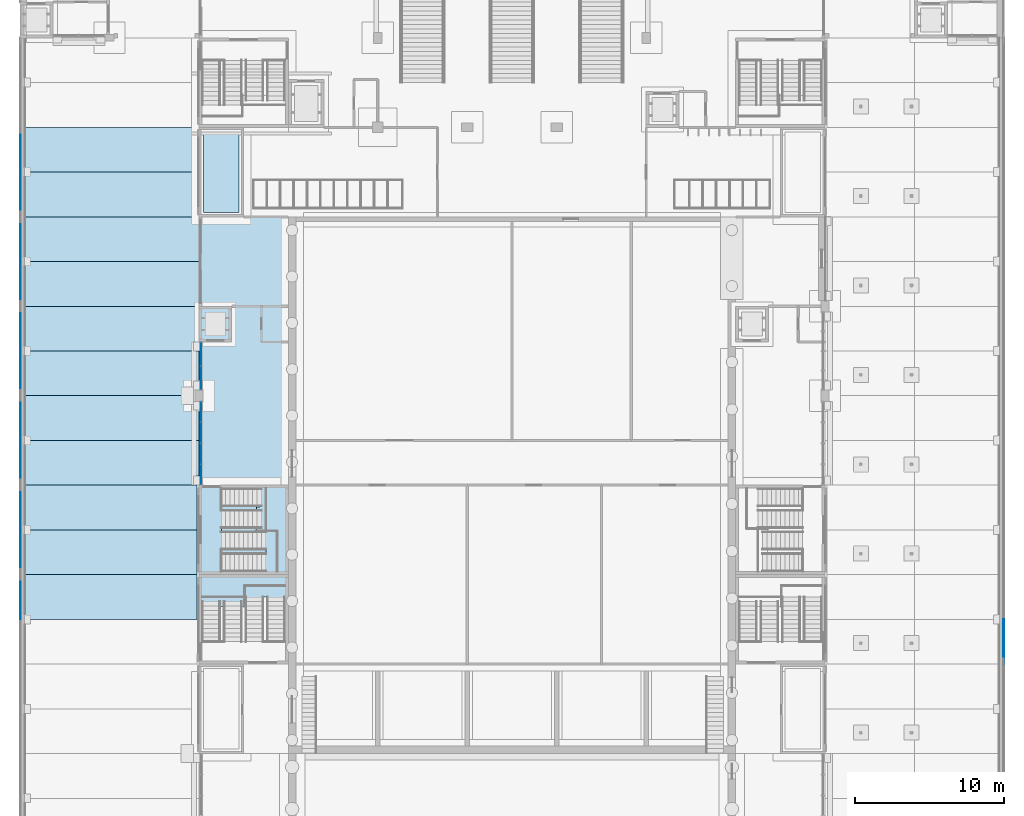
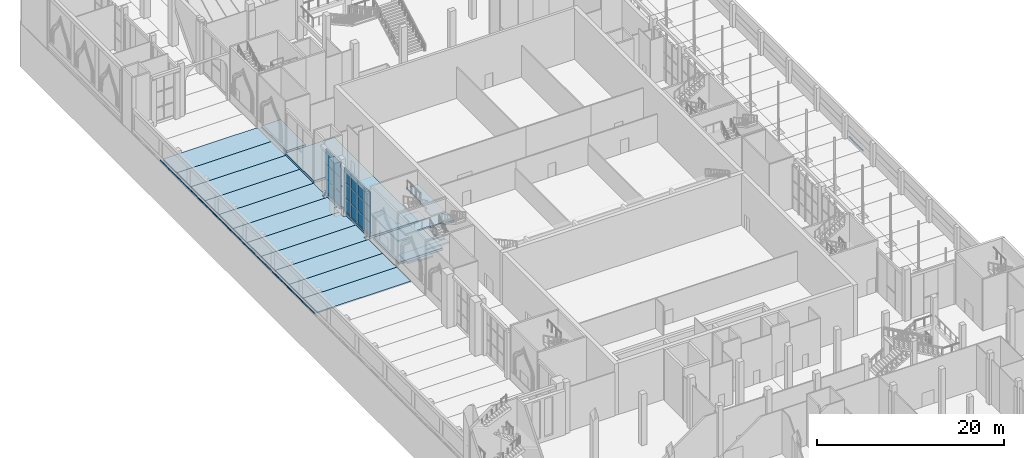
# One storey, part 33 of 95: 32 slabs, 18 plates, 4 elements without a shape of their own.
"""IFC4 building model written with IfcOpenShell, lengths in metres."""

from ifc_helpers import new_model, si_unit, direction, frame, origin, origin_2d, place, context, subcontext, project, spatial, polyline, rectangle, outline, extrude, material, layer, layer_set, type_object, element, aggregate, save


model = new_model("IFC4")

# Units and contexts
model_context = context("Model", 3, precision=1e-05, world=origin(), true_north=direction((0.0, 1.0)))
body_context = subcontext(model_context, "Body", "Model", "MODEL_VIEW")
ifc_project = project(units=[si_unit("LENGTHUNIT", "METRE"), si_unit("AREAUNIT", "SQUARE_METRE"), si_unit("VOLUMEUNIT", "CUBIC_METRE"), si_unit("PLANEANGLEUNIT", "RADIAN"), si_unit("MASSUNIT", "GRAM", prefix="KILO")], contexts=[model_context])

# Site, building, storey
site_placement = place(None, origin())
site = spatial("IfcSite", under=ifc_project, at=site_placement, CompositionType="ELEMENT")
building_placement = place(site_placement, origin())
building = spatial("IfcBuilding", under=site, at=building_placement, Name="Saffron Lane Theatres", CompositionType="ELEMENT")
storey_placement = place(building_placement, origin())
storey = spatial("IfcBuildingStorey", under=building, at=storey_placement, Name="L00", CompositionType="ELEMENT", Elevation=0.0)

# Curtain wall, plates
ifc_material_1 = material(Name="Aluminium", Category="aluminium")
curtain_wall_type_1 = type_object("IfcCurtainWallType", Name="EX-CURTAIN WALL 5620x6050x200", PredefinedType="NOTDEFINED", material=ifc_material_1)
curtain_wall_1_placement = place(storey_placement, origin())
curtain_wall_1 = element("IfcCurtainWall", 1, at=curtain_wall_1_placement, inside=storey, type_object=curtain_wall_type_1, Name="Curtain wall L00 03", PredefinedType="NOTDEFINED")
ifc_material_2 = material(Name="Glass", Category="glass")
ifc_layer_1 = layer(ifc_material_2, 0.031982421875)
ifc_layer_set_1 = layer_set([ifc_layer_1], Name="Glass")
plate_type = type_object("IfcPlateType", Name="EX-CW PANEL GLAZING 32", PredefinedType="CURTAIN_PANEL", material=ifc_layer_set_1)
plate_1_placement = place(storey_placement, frame((12.14990234375, 72.718017578125, 0.06005859375), z_axis=(0.0, 0.0, 1.0), x_axis=(0.0, 1.0, 0.0)))
plate_1 = element("IfcPlate", 2, at=plate_1_placement, type_object=plate_type, Name="CW-00-03 panel 1.1", PredefinedType="CURTAIN_PANEL", context=body_context, shape_type="SweptSolid", body=[
    extrude(rectangle(XDim=1.316162109375, YDim=0.031982421875, at=origin_2d()), origin(), (0.0, 0.0, 1.0), 1.926513671875),
])
plate_2_placement = place(storey_placement, frame((12.14990234375, 72.718017578125, 2.04638671875), z_axis=(0.0, 0.0, 1.0), x_axis=(0.0, 1.0, 0.0)))
plate_2 = element("IfcPlate", 3, at=plate_2_placement, type_object=plate_type, Name="CW-00-03 panel 1.2", PredefinedType="CURTAIN_PANEL", context=body_context, shape_type="SweptSolid", body=[
    extrude(rectangle(XDim=1.316162109375, YDim=0.031982421875, at=origin_2d()), origin(), (0.0, 0.0, 1.0), 1.956787109375),
])
plate_3_placement = place(storey_placement, frame((12.14990234375, 72.718017578125, 4.0634765625), z_axis=(0.0, 0.0, 1.0), x_axis=(0.0, 1.0, 0.0)))
plate_3 = element("IfcPlate", 4, at=plate_3_placement, type_object=plate_type, Name="CW-00-03 panel 1.3", PredefinedType="CURTAIN_PANEL", context=body_context, shape_type="SweptSolid", body=[
    extrude(rectangle(XDim=1.316162109375, YDim=0.031982421875, at=origin_2d()), origin(), (0.0, 0.0, 1.0), 1.926513671875),
])
plate_4_placement = place(storey_placement, frame((12.14990234375, 74.109375, 0.06005859375), z_axis=(0.0, 0.0, 1.0), x_axis=(0.0, 1.0, 0.0)))
plate_4 = element("IfcPlate", 5, at=plate_4_placement, type_object=plate_type, Name="CW-00-03 panel 2.1", PredefinedType="CURTAIN_PANEL", context=body_context, shape_type="SweptSolid", body=[
    extrude(rectangle(XDim=1.34619140625, YDim=0.031982421875, at=origin_2d()), origin(), (0.0, 0.0, 1.0), 1.926513671875),
])
plate_5_placement = place(storey_placement, frame((12.14990234375, 74.109375, 2.04638671875), z_axis=(0.0, 0.0, 1.0), x_axis=(0.0, 1.0, 0.0)))
plate_5 = element("IfcPlate", 6, at=plate_5_placement, type_object=plate_type, Name="CW-00-03 panel 2.2", PredefinedType="CURTAIN_PANEL", context=body_context, shape_type="SweptSolid", body=[
    extrude(rectangle(XDim=1.34619140625, YDim=0.031982421875, at=origin_2d()), origin(), (0.0, 0.0, 1.0), 1.956787109375),
])
plate_6_placement = place(storey_placement, frame((12.14990234375, 74.109375, 4.0634765625), z_axis=(0.0, 0.0, 1.0), x_axis=(0.0, 1.0, 0.0)))
plate_6 = element("IfcPlate", 7, at=plate_6_placement, type_object=plate_type, Name="CW-00-03 panel 2.3", PredefinedType="CURTAIN_PANEL", context=body_context, shape_type="SweptSolid", body=[
    extrude(rectangle(XDim=1.34619140625, YDim=0.031982421875, at=origin_2d()), origin(), (0.0, 0.0, 1.0), 1.926513671875),
])
plate_7_placement = place(storey_placement, frame((12.14990234375, 75.515625, 0.06005859375), z_axis=(0.0, 0.0, 1.0), x_axis=(0.0, 1.0, 0.0)))
plate_7 = element("IfcPlate", 8, at=plate_7_placement, type_object=plate_type, Name="CW-00-03 panel 3.1", PredefinedType="CURTAIN_PANEL", context=body_context, shape_type="SweptSolid", body=[
    extrude(rectangle(XDim=1.34619140625, YDim=0.031982421875, at=origin_2d()), origin(), (0.0, 0.0, 1.0), 1.926513671875),
])
plate_8_placement = place(storey_placement, frame((12.14990234375, 75.515625, 2.04638671875), z_axis=(0.0, 0.0, 1.0), x_axis=(0.0, 1.0, 0.0)))
plate_8 = element("IfcPlate", 9, at=plate_8_placement, type_object=plate_type, Name="CW-00-03 panel 3.2", PredefinedType="CURTAIN_PANEL", context=body_context, shape_type="SweptSolid", body=[
    extrude(rectangle(XDim=1.34619140625, YDim=0.031982421875, at=origin_2d()), origin(), (0.0, 0.0, 1.0), 1.956787109375),
])
plate_9_placement = place(storey_placement, frame((12.14990234375, 75.515625, 4.0634765625), z_axis=(0.0, 0.0, 1.0), x_axis=(0.0, 1.0, 0.0)))
plate_9 = element("IfcPlate", 10, at=plate_9_placement, type_object=plate_type, Name="CW-00-03 panel 3.3", PredefinedType="CURTAIN_PANEL", context=body_context, shape_type="SweptSolid", body=[
    extrude(rectangle(XDim=1.34619140625, YDim=0.031982421875, at=origin_2d()), origin(), (0.0, 0.0, 1.0), 1.926513671875),
])
plate_10_placement = place(storey_placement, frame((12.14990234375, 76.906982421875, 0.06005859375), z_axis=(0.0, 0.0, 1.0), x_axis=(0.0, 1.0, 0.0)))
plate_10 = element("IfcPlate", 11, at=plate_10_placement, type_object=plate_type, Name="CW-00-03 panel 4.1", PredefinedType="CURTAIN_PANEL", context=body_context, shape_type="SweptSolid", body=[
    extrude(rectangle(XDim=1.316162109375, YDim=0.031982421875, at=origin_2d()), origin(), (0.0, 0.0, 1.0), 1.926513671875),
])
plate_11_placement = place(storey_placement, frame((12.14990234375, 76.906982421875, 2.04638671875), z_axis=(0.0, 0.0, 1.0), x_axis=(0.0, 1.0, 0.0)))
plate_11 = element("IfcPlate", 12, at=plate_11_placement, type_object=plate_type, Name="CW-00-03 panel 4.2", PredefinedType="CURTAIN_PANEL", context=body_context, shape_type="SweptSolid", body=[
    extrude(rectangle(XDim=1.316162109375, YDim=0.031982421875, at=origin_2d()), origin(), (0.0, 0.0, 1.0), 1.956787109375),
])
plate_12_placement = place(storey_placement, frame((12.14990234375, 76.906982421875, 4.0634765625), z_axis=(0.0, 0.0, 1.0), x_axis=(0.0, 1.0, 0.0)))
plate_12 = element("IfcPlate", 13, at=plate_12_placement, type_object=plate_type, Name="CW-00-03 panel 4.3", PredefinedType="CURTAIN_PANEL", context=body_context, shape_type="SweptSolid", body=[
    extrude(rectangle(XDim=1.316162109375, YDim=0.031982421875, at=origin_2d()), origin(), (0.0, 0.0, 1.0), 1.926513671875),
])
aggregate(curtain_wall_1, [plate_1, plate_2, plate_3, plate_4, plate_5, plate_6, plate_7, plate_8, plate_9, plate_10, plate_11, plate_12])

ifc_material_3 = material(Name="Aluminium", Category="aluminium")
curtain_wall_type_2 = type_object("IfcCurtainWallType", Name="EX-CURTAIN WALL 3230x6050x200", PredefinedType="NOTDEFINED", material=ifc_material_3)
curtain_wall_2_placement = place(storey_placement, origin())
curtain_wall_2 = element("IfcCurtainWall", 14, at=curtain_wall_2_placement, inside=storey, type_object=curtain_wall_type_2, Name="Curtain wall L00 04", PredefinedType="NOTDEFINED")
plate_13_placement = place(storey_placement, frame((12.14990234375, 79.1962890625, 0.06005859375), z_axis=(0.0, 0.0, 1.0), x_axis=(0.0, 1.0, 0.0)))
plate_13 = element("IfcPlate", 15, at=plate_13_placement, type_object=plate_type, Name="CW-00-04 panel 1.1", PredefinedType="CURTAIN_PANEL", context=body_context, shape_type="SweptSolid", body=[
    extrude(rectangle(XDim=1.5224609375, YDim=0.031982421875, at=origin_2d()), origin(), (0.0, 0.0, 1.0), 1.926513671875),
])
plate_14_placement = place(storey_placement, frame((12.14990234375, 79.1962890625, 2.04638671875), z_axis=(0.0, 0.0, 1.0), x_axis=(0.0, 1.0, 0.0)))
plate_14 = element("IfcPlate", 16, at=plate_14_placement, type_object=plate_type, Name="CW-00-04 panel 1.2", PredefinedType="CURTAIN_PANEL", context=body_context, shape_type="SweptSolid", body=[
    extrude(rectangle(XDim=1.5224609375, YDim=0.031982421875, at=origin_2d()), origin(), (0.0, 0.0, 1.0), 1.956787109375),
])
plate_15_placement = place(storey_placement, frame((12.14990234375, 79.1962890625, 4.0634765625), z_axis=(0.0, 0.0, 1.0), x_axis=(0.0, 1.0, 0.0)))
plate_15 = element("IfcPlate", 17, at=plate_15_placement, type_object=plate_type, Name="CW-00-04 panel 1.3", PredefinedType="CURTAIN_PANEL", context=body_context, shape_type="SweptSolid", body=[
    extrude(rectangle(XDim=1.5224609375, YDim=0.031982421875, at=origin_2d()), origin(), (0.0, 0.0, 1.0), 1.926513671875),
])
plate_16_placement = place(storey_placement, frame((12.14990234375, 80.77880859375, 0.06005859375), z_axis=(0.0, 0.0, 1.0), x_axis=(0.0, 1.0, 0.0)))
plate_16 = element("IfcPlate", 18, at=plate_16_placement, type_object=plate_type, Name="CW-00-04 panel 2.1", PredefinedType="CURTAIN_PANEL", context=body_context, shape_type="SweptSolid", body=[
    extrude(rectangle(XDim=1.5224609375, YDim=0.031982421875, at=origin_2d()), origin(), (0.0, 0.0, 1.0), 1.926513671875),
])
plate_17_placement = place(storey_placement, frame((12.14990234375, 80.77880859375, 2.04638671875), z_axis=(0.0, 0.0, 1.0), x_axis=(0.0, 1.0, 0.0)))
plate_17 = element("IfcPlate", 19, at=plate_17_placement, type_object=plate_type, Name="CW-00-04 panel 2.2", PredefinedType="CURTAIN_PANEL", context=body_context, shape_type="SweptSolid", body=[
    extrude(rectangle(XDim=1.5224609375, YDim=0.031982421875, at=origin_2d()), origin(), (0.0, 0.0, 1.0), 1.956787109375),
])
plate_18_placement = place(storey_placement, frame((12.14990234375, 80.77880859375, 4.0634765625), z_axis=(0.0, 0.0, 1.0), x_axis=(0.0, 1.0, 0.0)))
plate_18 = element("IfcPlate", 20, at=plate_18_placement, type_object=plate_type, Name="CW-00-04 panel 2.3", PredefinedType="CURTAIN_PANEL", context=body_context, shape_type="SweptSolid", body=[
    extrude(rectangle(XDim=1.5224609375, YDim=0.031982421875, at=origin_2d()), origin(), (0.0, 0.0, 1.0), 1.926513671875),
])
aggregate(curtain_wall_2, [plate_13, plate_14, plate_15, plate_16, plate_17, plate_18])

# Slabs
ifc_material_4 = material(Name="Masonry bluestone paving", Category="masonry")
ifc_layer_2 = layer(ifc_material_4, 0.14990234375)
ifc_layer_set_2 = layer_set([ifc_layer_2], Name="Masonry bluestone paving")
slab_type_1 = type_object("IfcSlabType", Name="EX-PAVING BLUESTONE 150", PredefinedType="USERDEFINED", material=ifc_layer_set_2)
slab_1_placement = place(storey_placement, frame((0.0, 0.0, -0.14990234375)))
element("IfcSlab", 21, at=slab_1_placement, inside=storey, type_object=slab_type_1, Name="West court paving 23", ObjectType="PAVING", PredefinedType="USERDEFINED", context=body_context, shape_type="SweptSolid", body=[
    extrude(outline(polyline([(0.055908203125, 63.0), (0.055908203125, 66.0), (0.0, 66.0), (0.0, 63.0), (0.055908203125, 63.0)])), origin(), (0.0, 0.0, 1.0), 0.14990234375),
])
slab_2_placement = place(storey_placement, frame((0.0, 0.0, -0.14990234375)))
element("IfcSlab", 22, at=slab_2_placement, inside=storey, type_object=slab_type_1, Name="West court paving 24", ObjectType="PAVING", PredefinedType="USERDEFINED", context=body_context, shape_type="SweptSolid", body=[
    extrude(outline(polyline([(11.8798828125, 63.0), (11.8798828125, 66.0), (0.31396484375, 66.0), (0.31396484375, 63.0), (11.8798828125, 63.0)])), origin(), (0.0, 0.0, 1.0), 0.14990234375),
])
slab_3_placement = place(storey_placement, frame((0.0, 0.0, -0.14990234375)))
element("IfcSlab", 23, at=slab_3_placement, inside=storey, type_object=slab_type_1, Name="West court paving 27", ObjectType="PAVING", PredefinedType="USERDEFINED", context=body_context, shape_type="SweptSolid", body=[
    extrude(outline(polyline([(0.055908203125, 69.0), (0.055908203125, 72.0), (0.0, 72.0), (0.0, 69.0), (0.055908203125, 69.0)])), origin(), (0.0, 0.0, 1.0), 0.14990234375),
])
slab_4_placement = place(storey_placement, frame((0.0, 0.0, -0.14990234375)))
element("IfcSlab", 24, at=slab_4_placement, inside=storey, type_object=slab_type_1, Name="West court paving 28", ObjectType="PAVING", PredefinedType="USERDEFINED", context=body_context, shape_type="SweptSolid", body=[
    extrude(outline(polyline([(11.64599609375, 71.99951171875), (11.64599609375, 72.0), (0.31396484375, 72.0), (0.31396484375, 69.0), (11.8798828125, 69.0), (11.8798828125, 71.99609375), (11.64990234375, 71.99609375), (11.649658203125, 71.99609375), (11.649169921875, 71.99609375), (11.64892578125, 71.99609375), (11.6484375, 71.996337890625), (11.648193359375, 71.99658203125), (11.647705078125, 71.99658203125), (11.6474609375, 71.996826171875), (11.647216796875, 71.9970703125), (11.64697265625, 71.99755859375), (11.646728515625, 71.997802734375), (11.646484375, 71.998046875), (11.646240234375, 71.99853515625), (11.646240234375, 71.998779296875), (11.64599609375, 71.999267578125), (11.64599609375, 71.99951171875)])), origin(), (0.0, 0.0, 1.0), 0.14990234375),
])
slab_5_placement = place(storey_placement, frame((0.0, 0.0, -0.14990234375)))
element("IfcSlab", 25, at=slab_5_placement, inside=storey, type_object=slab_type_1, Name="West court paving 31", ObjectType="PAVING", PredefinedType="USERDEFINED", context=body_context, shape_type="SweptSolid", body=[
    extrude(outline(polyline([(0.055908203125, 75.0), (0.055908203125, 78.0), (0.0, 78.0), (0.0, 75.0), (0.055908203125, 75.0)])), origin(), (0.0, 0.0, 1.0), 0.14990234375),
])
slab_6_placement = place(storey_placement, frame((0.0, 0.0, -0.14990234375)))
element("IfcSlab", 26, at=slab_6_placement, inside=storey, type_object=slab_type_1, Name="West court paving 32", ObjectType="PAVING", PredefinedType="USERDEFINED", context=body_context, shape_type="SweptSolid", body=[
    extrude(outline(polyline([(11.720947265625, 77.62890625), (11.720947265625, 78.0), (0.31396484375, 78.0), (0.31396484375, 75.0), (11.99609375, 75.0), (11.99609375, 77.02099609375), (11.64990234375, 77.02099609375), (11.649658203125, 77.02099609375), (11.649169921875, 77.02099609375), (11.64892578125, 77.021240234375), (11.6484375, 77.021240234375), (11.648193359375, 77.021484375), (11.647705078125, 77.021728515625), (11.6474609375, 77.02197265625), (11.647216796875, 77.022216796875), (11.64697265625, 77.0224609375), (11.646728515625, 77.022705078125), (11.646484375, 77.023193359375), (11.646240234375, 77.0234375), (11.646240234375, 77.02392578125), (11.64599609375, 77.024169921875), (11.64599609375, 77.024658203125), (11.64599609375, 77.02490234375), (11.64599609375, 77.625), (11.64599609375, 77.62548828125), (11.64599609375, 77.625732421875), (11.646240234375, 77.626220703125), (11.646240234375, 77.62646484375), (11.646484375, 77.626953125), (11.646728515625, 77.627197265625), (11.64697265625, 77.62744140625), (11.647216796875, 77.6279296875), (11.6474609375, 77.628173828125), (11.647705078125, 77.62841796875), (11.648193359375, 77.62841796875), (11.6484375, 77.628662109375), (11.64892578125, 77.62890625), (11.649169921875, 77.62890625), (11.649658203125, 77.62890625), (11.64990234375, 77.62890625), (11.720947265625, 77.62890625)])), origin(), (0.0, 0.0, 1.0), 0.14990234375),
])
slab_7_placement = place(storey_placement, frame((0.0, 0.0, -0.14990234375)))
element("IfcSlab", 27, at=slab_7_placement, inside=storey, type_object=slab_type_1, Name="West court paving 35", ObjectType="PAVING", PredefinedType="USERDEFINED", context=body_context, shape_type="SweptSolid", body=[
    extrude(outline(polyline([(0.055908203125, 81.0), (0.055908203125, 84.0), (0.0, 84.0), (0.0, 81.0), (0.055908203125, 81.0)])), origin(), (0.0, 0.0, 1.0), 0.14990234375),
])
slab_8_placement = place(storey_placement, frame((0.0, 0.0, -0.14990234375)))
element("IfcSlab", 28, at=slab_8_placement, inside=storey, type_object=slab_type_1, Name="West court paving 36", ObjectType="PAVING", PredefinedType="USERDEFINED", context=body_context, shape_type="SweptSolid", body=[
    extrude(outline(polyline([(11.99609375, 83.800048828125), (11.99609375, 84.0), (0.31396484375, 84.0), (0.31396484375, 81.0), (11.64599609375, 81.0), (11.64599609375, 81.60009765625), (11.64599609375, 81.600341796875), (11.64599609375, 81.600830078125), (11.646240234375, 81.60107421875), (11.646240234375, 81.6015625), (11.646484375, 81.601806640625), (11.646728515625, 81.602294921875), (11.64697265625, 81.6025390625), (11.647216796875, 81.602783203125), (11.6474609375, 81.60302734375), (11.647705078125, 81.603271484375), (11.648193359375, 81.603515625), (11.6484375, 81.603759765625), (11.64892578125, 81.603759765625), (11.649169921875, 81.60400390625), (11.649658203125, 81.60400390625), (11.64990234375, 81.60400390625), (11.99609375, 81.60400390625), (11.99609375, 81.800048828125), (11.99609375, 83.800048828125), (11.99609375, 83.800048828125)])), origin(), (0.0, 0.0, 1.0), 0.14990234375),
])
slab_9_placement = place(storey_placement, frame((0.0, 0.0, -0.14990234375)))
element("IfcSlab", 29, at=slab_9_placement, inside=storey, type_object=slab_type_1, Name="West court paving 39", ObjectType="PAVING", PredefinedType="USERDEFINED", context=body_context, shape_type="SweptSolid", body=[
    extrude(outline(polyline([(0.055908203125, 87.0), (0.055908203125, 90.0), (0.0, 90.0), (0.0, 87.0), (0.055908203125, 87.0)])), origin(), (0.0, 0.0, 1.0), 0.14990234375),
])
slab_10_placement = place(storey_placement, frame((0.0, 0.0, -0.14990234375)))
element("IfcSlab", 30, at=slab_10_placement, inside=storey, type_object=slab_type_1, Name="West court paving 40", ObjectType="PAVING", PredefinedType="USERDEFINED", context=body_context, shape_type="SweptSolid", body=[
    extrude(outline(polyline([(11.99609375, 87.0), (11.99609375, 90.0), (0.31396484375, 90.0), (0.31396484375, 87.0), (11.99609375, 87.0)])), origin(), (0.0, 0.0, 1.0), 0.14990234375),
])
slab_11_placement = place(storey_placement, frame((0.0, 0.0, -0.14990234375)))
element("IfcSlab", 31, at=slab_11_placement, inside=storey, type_object=slab_type_1, Name="West court paving 43", ObjectType="PAVING", PredefinedType="USERDEFINED", context=body_context, shape_type="SweptSolid", body=[
    extrude(outline(polyline([(0.055908203125, 93.0), (0.055908203125, 96.0), (0.0, 96.0), (0.0, 93.0), (0.055908203125, 93.0)])), origin(), (0.0, 0.0, 1.0), 0.14990234375),
])
slab_12_placement = place(storey_placement, frame((0.0, 0.0, -0.14990234375)))
element("IfcSlab", 32, at=slab_12_placement, inside=storey, type_object=slab_type_1, Name="West court paving 44", ObjectType="PAVING", PredefinedType="USERDEFINED", context=body_context, shape_type="SweptSolid", body=[
    extrude(outline(polyline([(11.88232421875, 95.9765625), (11.880615234375, 95.98828125), (11.8798828125, 96.0), (0.31396484375, 96.0), (0.31396484375, 93.0), (11.99609375, 93.0), (11.99609375, 95.85009765625), (11.99609375, 95.880126953125), (11.98828125, 95.880615234375), (11.9765625, 95.88232421875), (11.965087890625, 95.88525390625), (11.9541015625, 95.88916015625), (11.943359375, 95.894287109375), (11.933349609375, 95.900146484375), (11.923828125, 95.9072265625), (11.9150390625, 95.9150390625), (11.9072265625, 95.923828125), (11.900146484375, 95.933349609375), (11.894287109375, 95.943359375), (11.88916015625, 95.9541015625), (11.88525390625, 95.965087890625), (11.88232421875, 95.9765625)])), origin(), (0.0, 0.0, 1.0), 0.14990234375),
])
ifc_material_5 = material(Name="Masonry sandstone paving", Category="masonry")
ifc_layer_3 = layer(ifc_material_5, 0.14990234375)
ifc_layer_set_3 = layer_set([ifc_layer_3], Name="Masonry sandstone paving")
slab_type_2 = type_object("IfcSlabType", Name="EX-PAVING SANDSTONE 150", PredefinedType="USERDEFINED", material=ifc_layer_set_3)
slab_13_placement = place(storey_placement, frame((0.0, 0.0, -0.14990234375)))
element("IfcSlab", 33, at=slab_13_placement, inside=storey, type_object=slab_type_2, Name="West court paving 25", ObjectType="PAVING", PredefinedType="USERDEFINED", context=body_context, shape_type="SweptSolid", body=[
    extrude(outline(polyline([(0.055908203125, 66.0), (0.055908203125, 69.0), (0.0, 69.0), (0.0, 66.0), (0.055908203125, 66.0)])), origin(), (0.0, 0.0, 1.0), 0.14990234375),
])
slab_14_placement = place(storey_placement, frame((0.0, 0.0, -0.14990234375)))
element("IfcSlab", 34, at=slab_14_placement, inside=storey, type_object=slab_type_2, Name="West court paving 26", ObjectType="PAVING", PredefinedType="USERDEFINED", context=body_context, shape_type="SweptSolid", body=[
    extrude(outline(polyline([(11.8798828125, 66.0), (11.8798828125, 69.0), (0.31396484375, 69.0), (0.31396484375, 66.0), (11.8798828125, 66.0)])), origin(), (0.0, 0.0, 1.0), 0.14990234375),
])
slab_15_placement = place(storey_placement, frame((0.0, 0.0, -0.14990234375)))
element("IfcSlab", 35, at=slab_15_placement, inside=storey, type_object=slab_type_2, Name="West court paving 29", ObjectType="PAVING", PredefinedType="USERDEFINED", context=body_context, shape_type="SweptSolid", body=[
    extrude(outline(polyline([(0.055908203125, 72.0), (0.055908203125, 75.0), (0.0, 75.0), (0.0, 72.0), (0.055908203125, 72.0)])), origin(), (0.0, 0.0, 1.0), 0.14990234375),
])
slab_16_placement = place(storey_placement, frame((0.0, 0.0, -0.14990234375)))
element("IfcSlab", 36, at=slab_16_placement, inside=storey, type_object=slab_type_2, Name="West court paving 30", ObjectType="PAVING", PredefinedType="USERDEFINED", context=body_context, shape_type="SweptSolid", body=[
    extrude(outline(polyline([(11.99609375, 72.60400390625), (11.99609375, 75.0), (0.31396484375, 75.0), (0.31396484375, 72.0), (11.64599609375, 72.0), (11.64599609375, 72.60009765625), (11.64599609375, 72.600341796875), (11.64599609375, 72.600830078125), (11.646240234375, 72.60107421875), (11.646240234375, 72.6015625), (11.646484375, 72.601806640625), (11.646728515625, 72.602294921875), (11.64697265625, 72.6025390625), (11.647216796875, 72.602783203125), (11.6474609375, 72.60302734375), (11.647705078125, 72.603271484375), (11.648193359375, 72.603515625), (11.6484375, 72.603759765625), (11.64892578125, 72.603759765625), (11.649169921875, 72.60400390625), (11.649658203125, 72.60400390625), (11.64990234375, 72.60400390625), (11.99609375, 72.60400390625)])), origin(), (0.0, 0.0, 1.0), 0.14990234375),
])
slab_17_placement = place(storey_placement, frame((0.0, 0.0, -0.14990234375)))
element("IfcSlab", 37, at=slab_17_placement, inside=storey, type_object=slab_type_2, Name="West court paving 33", ObjectType="PAVING", PredefinedType="USERDEFINED", context=body_context, shape_type="SweptSolid", body=[
    extrude(outline(polyline([(0.055908203125, 78.0), (0.055908203125, 81.0), (0.0, 81.0), (0.0, 78.0), (0.055908203125, 78.0)])), origin(), (0.0, 0.0, 1.0), 0.14990234375),
])
slab_18_placement = place(storey_placement, frame((0.0, 0.0, -0.14990234375)))
element("IfcSlab", 38, at=slab_18_placement, inside=storey, type_object=slab_type_2, Name="West court paving 34", ObjectType="PAVING", PredefinedType="USERDEFINED", context=body_context, shape_type="SweptSolid", body=[
    extrude(outline(polyline([(11.64599609375, 80.99951171875), (11.64599609375, 81.0), (0.31396484375, 81.0), (0.31396484375, 78.0), (11.720947265625, 78.0), (11.720947265625, 78.37109375), (11.64990234375, 78.37109375), (11.649658203125, 78.37109375), (11.649169921875, 78.37109375), (11.64892578125, 78.37109375), (11.6484375, 78.371337890625), (11.648193359375, 78.37158203125), (11.647705078125, 78.37158203125), (11.6474609375, 78.371826171875), (11.647216796875, 78.3720703125), (11.64697265625, 78.37255859375), (11.646728515625, 78.372802734375), (11.646484375, 78.373046875), (11.646240234375, 78.37353515625), (11.646240234375, 78.373779296875), (11.64599609375, 78.374267578125), (11.64599609375, 78.37451171875), (11.64599609375, 78.375), (11.64599609375, 78.97509765625), (11.64599609375, 78.975341796875), (11.64599609375, 78.975830078125), (11.646240234375, 78.97607421875), (11.646240234375, 78.9765625), (11.646484375, 78.976806640625), (11.646728515625, 78.977294921875), (11.64697265625, 78.9775390625), (11.647216796875, 78.977783203125), (11.6474609375, 78.97802734375), (11.647705078125, 78.978271484375), (11.648193359375, 78.978515625), (11.6484375, 78.978759765625), (11.64892578125, 78.978759765625), (11.649169921875, 78.97900390625), (11.649658203125, 78.97900390625), (11.64990234375, 78.97900390625), (11.99609375, 78.97900390625), (11.99609375, 80.99609375), (11.64990234375, 80.99609375), (11.649658203125, 80.99609375), (11.649169921875, 80.99609375), (11.64892578125, 80.99609375), (11.6484375, 80.996337890625), (11.648193359375, 80.99658203125), (11.647705078125, 80.99658203125), (11.6474609375, 80.996826171875), (11.647216796875, 80.9970703125), (11.64697265625, 80.99755859375), (11.646728515625, 80.997802734375), (11.646484375, 80.998046875), (11.646240234375, 80.99853515625), (11.646240234375, 80.998779296875), (11.64599609375, 80.999267578125), (11.64599609375, 80.99951171875)])), origin(), (0.0, 0.0, 1.0), 0.14990234375),
])
slab_19_placement = place(storey_placement, frame((0.0, 0.0, -0.14990234375)))
element("IfcSlab", 39, at=slab_19_placement, inside=storey, type_object=slab_type_2, Name="West court paving 37", ObjectType="PAVING", PredefinedType="USERDEFINED", context=body_context, shape_type="SweptSolid", body=[
    extrude(outline(polyline([(0.055908203125, 84.0), (0.055908203125, 87.0), (0.0, 87.0), (0.0, 84.0), (0.055908203125, 84.0)])), origin(), (0.0, 0.0, 1.0), 0.14990234375),
])
slab_20_placement = place(storey_placement, frame((0.0, 0.0, -0.14990234375)))
element("IfcSlab", 40, at=slab_20_placement, inside=storey, type_object=slab_type_2, Name="West court paving 38", ObjectType="PAVING", PredefinedType="USERDEFINED", context=body_context, shape_type="SweptSolid", body=[
    extrude(outline(polyline([(11.99609375, 84.0), (11.99609375, 87.0), (0.31396484375, 87.0), (0.31396484375, 84.0), (11.99609375, 84.0)])), origin(), (0.0, 0.0, 1.0), 0.14990234375),
])
slab_21_placement = place(storey_placement, frame((0.0, 0.0, -0.14990234375)))
element("IfcSlab", 41, at=slab_21_placement, inside=storey, type_object=slab_type_2, Name="West court paving 41", ObjectType="PAVING", PredefinedType="USERDEFINED", context=body_context, shape_type="SweptSolid", body=[
    extrude(outline(polyline([(0.055908203125, 90.0), (0.055908203125, 93.0), (0.0, 93.0), (0.0, 90.0), (0.055908203125, 90.0)])), origin(), (0.0, 0.0, 1.0), 0.14990234375),
])
slab_22_placement = place(storey_placement, frame((0.0, 0.0, -0.14990234375)))
element("IfcSlab", 42, at=slab_22_placement, inside=storey, type_object=slab_type_2, Name="West court paving 42", ObjectType="PAVING", PredefinedType="USERDEFINED", context=body_context, shape_type="SweptSolid", body=[
    extrude(outline(polyline([(11.99609375, 90.14990234375), (11.99609375, 93.0), (0.31396484375, 93.0), (0.31396484375, 90.0), (11.99609375, 90.0), (11.99609375, 90.14990234375)])), origin(), (0.0, 0.0, 1.0), 0.14990234375),
])
slab_23_placement = place(storey_placement, frame((0.0, 0.0, -0.14990234375)))
element("IfcSlab", 43, at=slab_23_placement, inside=storey, type_object=slab_type_2, Name="East court paving 22", ObjectType="PAVING", PredefinedType="USERDEFINED", context=body_context, shape_type="SweptSolid", body=[
    extrude(outline(polyline([(66.0, 60.0), (66.0, 63.0), (65.944091796875, 63.0), (65.944091796875, 60.0), (66.0, 60.0)])), origin(), (0.0, 0.0, 1.0), 0.14990234375),
])
ifc_material_6 = material(Name="Concrete N40 (40 MPa)", Category="concrete")
ifc_layer_4 = layer(ifc_material_6, 0.300048828125)
ifc_layer_set_4 = layer_set([ifc_layer_4], Name="Concrete N40 (40 MPa)")
slab_type_3 = type_object("IfcSlabType", Name="RC-SLAB BASE 300", PredefinedType="BASESLAB", material=ifc_layer_set_4)
slab_24_placement = place(storey_placement, origin())
element("IfcSlab", 44, at=slab_24_placement, inside=storey, type_object=slab_type_3, Name="slab-L00-AUD-4", PredefinedType="BASESLAB", context=body_context, shape_type="SweptSolid", body=[
    extrude(outline(polyline([(18.0, 72.0), (18.0, 90.0), (15.0, 90.0), (12.0, 90.0), (12.0, 84.0), (14.199951171875, 84.0), (14.199951171875, 81.60009765625), (12.0, 81.60009765625), (12.0, 78.376953125), (12.277099609375, 78.376953125), (12.277099609375, 77.623046875), (12.0, 77.623046875), (12.0, 72.0), (18.0, 72.0)])), origin(), (0.0, 0.0, 1.0), 0.300048828125),
])
slab_25_placement = place(storey_placement, origin())
element("IfcSlab", 45, at=slab_25_placement, inside=storey, type_object=slab_type_3, Name="slab-L00-core-ST3", PredefinedType="BASESLAB", context=body_context, shape_type="SweptSolid", body=[
    extrude(outline(polyline([(12.300048828125, 66.300048828125), (17.699951171875, 66.300048828125), (17.699951171875, 71.699951171875), (12.300048828125, 71.699951171875), (12.300048828125, 66.300048828125)])), origin(), (0.0, 0.0, 1.0), 0.300048828125),
])
slab_26_placement = place(storey_placement, origin())
element("IfcSlab", 46, at=slab_26_placement, inside=storey, type_object=slab_type_3, Name="slab-L00-core-R1", PredefinedType="BASESLAB", context=body_context, shape_type="SweptSolid", body=[
    extrude(outline(polyline([(12.300048828125, 90.300048828125), (14.699951171875, 90.300048828125), (14.699951171875, 95.699951171875), (12.300048828125, 95.699951171875), (12.300048828125, 90.300048828125)])), origin(), (0.0, 0.0, 1.0), 0.300048828125),
])
slab_27_placement = place(storey_placement, frame((0.0, 0.0, -1.699951171875)))
element("IfcSlab", 47, at=slab_27_placement, inside=storey, type_object=slab_type_3, Name="slab-pit-LC3", PredefinedType="BASESLAB", context=body_context, shape_type="SweptSolid", body=[
    extrude(outline(polyline([(12.0, 81.60009765625), (14.199951171875, 81.60009765625), (14.199951171875, 84.0), (12.0, 84.0), (12.0, 81.60009765625)])), origin(), (0.0, 0.0, 1.0), 0.300048828125),
])

# Stair, slabs
ifc_material_7 = material(Name="Concrete N40 (40 MPa)", Category="concrete")
stair_type = type_object("IfcStairType", Name="VC-STAIR EXIT", PredefinedType="TWO_STRAIGHT_RUN_STAIR", material=ifc_material_7)
stair_1_placement = place(storey_placement, origin())
stair_1 = element("IfcStair", 48, at=stair_1_placement, inside=storey, type_object=stair_type, Name="Auditorium West Rear Stair L00 to L01", PredefinedType="TWO_STRAIGHT_RUN_STAIR")
ifc_material_8 = material(Name="Concrete N40 (40 MPa)", Category="concrete")
ifc_layer_5 = layer(ifc_material_8, 0.199951171875)
ifc_layer_set_5 = layer_set([ifc_layer_5], Name="Concrete N40 (40 MPa)")
slab_type_4 = type_object("IfcSlabType", Name="VC-LANDING 200", PredefinedType="LANDING", material=ifc_layer_set_5)
slab_28_placement = place(storey_placement, frame((0.0, 0.0, 1.466552734375)))
slab_28 = element("IfcSlab", 49, at=slab_28_placement, type_object=slab_type_4, Name="ST7 landing 1", PredefinedType="LANDING", context=body_context, shape_type="SweptSolid", body=[
    extrude(outline(polyline([(15.85009765625, 68.89990234375), (15.85009765625, 70.550048828125), (16.10009765625, 70.550048828125), (16.10009765625, 71.89990234375), (17.89990234375, 71.89990234375), (17.89990234375, 66.10009765625), (17.25, 66.10009765625), (17.25, 68.89990234375), (15.85009765625, 68.89990234375)])), origin(), (0.0, 0.0, 1.0), 0.2001953125),
])
slab_29_placement = place(storey_placement, frame((0.0, 0.0, 3.13330078125)))
slab_29 = element("IfcSlab", 50, at=slab_29_placement, type_object=slab_type_4, Name="ST7 landing 2", PredefinedType="LANDING", context=body_context, shape_type="SweptSolid", body=[
    extrude(outline(polyline([(13.5, 66.10009765625), (12.10009765625, 66.10009765625), (12.10009765625, 71.89990234375), (13.5, 71.89990234375), (13.5, 70.35009765625), (13.60009765625, 70.35009765625), (13.60009765625, 69.10009765625), (13.5, 69.10009765625), (13.5, 68.89990234375), (13.85009765625, 68.89990234375), (13.85009765625, 67.64990234375), (13.5, 67.64990234375), (13.5, 66.10009765625)])), origin(), (0.0, 0.0, 1.0), 0.199951171875),
])
slab_30_placement = place(storey_placement, frame((0.0, 0.0, 4.966552734375)))
slab_30 = element("IfcSlab", 51, at=slab_30_placement, type_object=slab_type_4, Name="ST7 landing 3", PredefinedType="LANDING", context=body_context, shape_type="SweptSolid", body=[
    extrude(outline(polyline([(16.5, 67.449951171875), (16.5, 67.64990234375), (16.39990234375, 67.64990234375), (16.39990234375, 68.89990234375), (16.5, 68.89990234375), (16.5, 71.89990234375), (17.89990234375, 71.89990234375), (17.89990234375, 66.10009765625), (16.14990234375, 66.10009765625), (16.14990234375, 67.449951171875), (16.5, 67.449951171875)])), origin(), (0.0, 0.0, 1.0), 0.2001953125),
])
aggregate(stair_1, [slab_28, slab_29, slab_30])

stair_2_placement = place(storey_placement, origin())
stair_2 = element("IfcStair", 52, at=stair_2_placement, inside=storey, type_object=stair_type, Name="Auditorium West Front Stair L00 to L01", PredefinedType="TWO_STRAIGHT_RUN_STAIR")
slab_31_placement = place(storey_placement, frame((0.0, 0.0, 1.466552734375)))
slab_31 = element("IfcSlab", 53, at=slab_31_placement, type_object=slab_type_4, Name="ST13 landing 1", PredefinedType="LANDING", context=body_context, shape_type="SweptSolid", body=[
    extrude(outline(polyline([(15.10009765625, 63.85009765625), (13.449951171875, 63.85009765625), (13.449951171875, 64.10009765625), (12.10009765625, 64.10009765625), (12.10009765625, 65.89990234375), (17.89990234375, 65.89990234375), (17.89990234375, 65.25), (15.10009765625, 65.25), (15.10009765625, 63.85009765625)])), origin(), (0.0, 0.0, 1.0), 0.2001953125),
])
slab_32_placement = place(storey_placement, frame((0.0, 0.0, 4.966552734375)))
slab_32 = element("IfcSlab", 54, at=slab_32_placement, type_object=slab_type_4, Name="ST13 landing 3", PredefinedType="LANDING", context=body_context, shape_type="SweptSolid", body=[
    extrude(outline(polyline([(16.550048828125, 64.5), (16.35009765625, 64.5), (16.35009765625, 64.39990234375), (15.10009765625, 64.39990234375), (15.10009765625, 64.5), (12.10009765625, 64.5), (12.10009765625, 65.89990234375), (17.89990234375, 65.89990234375), (17.89990234375, 64.14990234375), (16.550048828125, 64.14990234375), (16.550048828125, 64.5)])), origin(), (0.0, 0.0, 1.0), 0.2001953125),
])
aggregate(stair_2, [slab_31, slab_32])

save(model, "model.ifc")
